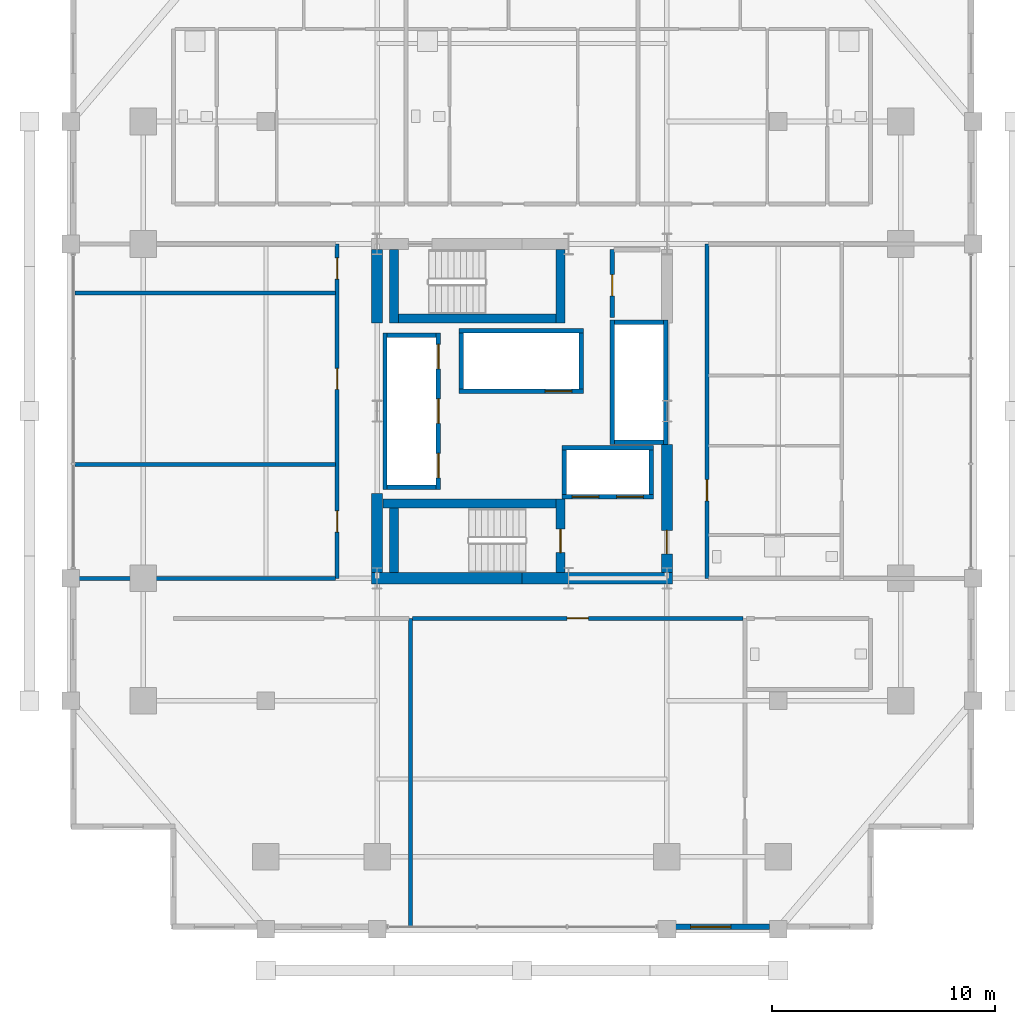
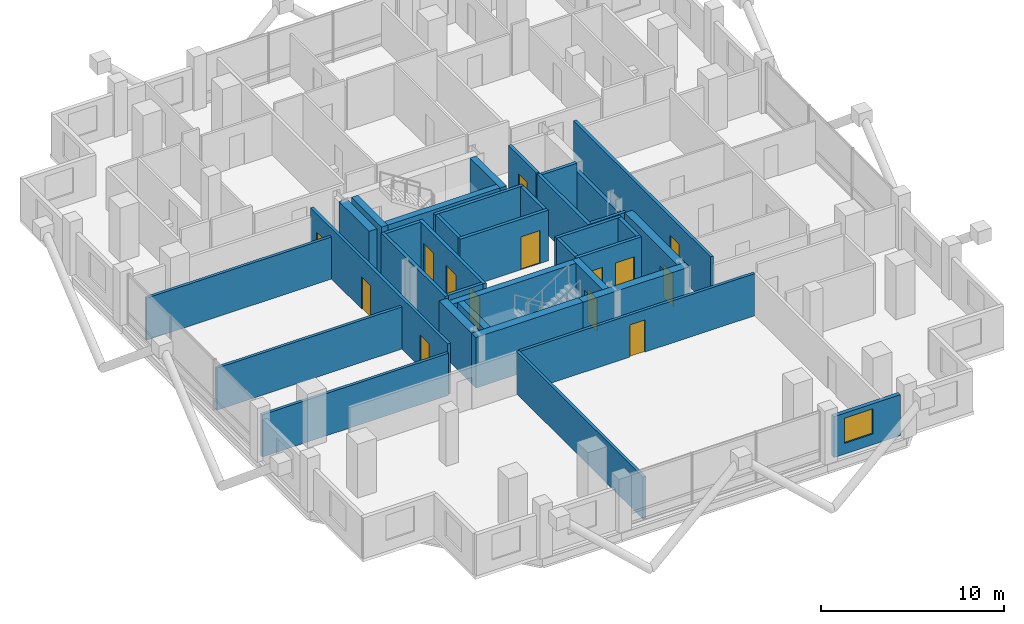
# One storey, part 17 of 22: 36 walls, 14 doors, 1 window, 15 openings.
"""IFC4 building model written with IfcOpenShell, lengths in metres."""

from ifc_helpers import new_model, si_unit, direction, frame, frame_2d, origin, place, context, subcontext, project, spatial, rectangle, extrude, material, layer, layer_set, type_object, element, fill, save


model = new_model("IFC4")

# Units and contexts
model_context = context("Model", 3, precision=1e-05, world=origin(), true_north=direction((0.0, 1.0)))
body_context = subcontext(model_context, "Body", "Model", "MODEL_VIEW")
ifc_project = project(units=[si_unit("LENGTHUNIT", "METRE"), si_unit("AREAUNIT", "SQUARE_METRE"), si_unit("VOLUMEUNIT", "CUBIC_METRE"), si_unit("PLANEANGLEUNIT", "RADIAN"), si_unit("MASSUNIT", "GRAM", prefix="KILO")], contexts=[model_context])

# Site, building, storey
site_placement = place(None, origin())
site = spatial("IfcSite", under=ifc_project, at=site_placement, CompositionType="ELEMENT")
building_placement = place(site_placement, origin())
building = spatial("IfcBuilding", under=site, at=building_placement, Name="Barlavira Tower and Art Museum", CompositionType="ELEMENT")
storey_placement = place(building_placement, frame((0.0, 0.0, 106.199951171875)))
storey = spatial("IfcBuildingStorey", under=building, at=storey_placement, Name="L26", CompositionType="ELEMENT", Elevation=106.199951171875)

# Walls
ifc_material_1 = material(Name="Concrete C60", Category="concrete")
ifc_layer_1 = layer(ifc_material_1, 0.5, Name="Concrete C60")
ifc_layer_set_1 = layer_set([ifc_layer_1], Name="Concrete C60")
wall_type_1 = type_object("IfcWallType", Name="Core Structural Shear Wall 500 Concrete C60", PredefinedType="SHEAR", material=ifc_layer_set_1)
for number, where, z_axis, x_axis, name in (
    (1, (-6.75, -7.5, 0.0), (0.0, 0.0, 1.0), (1.0, 0.0, 0.0), "L26 Core Shear Wall CS-SW"),
    (2, (0.0, -7.5, 0.0), (0.0, 0.0, 1.0), (1.0, 0.0, 0.0), "L26 Core Shear Wall CS-SE"),
):
    element("IfcWall", number, at=place(storey_placement, frame(where, z_axis=z_axis, x_axis=x_axis)), inside=storey, type_object=wall_type_1, Name=name, PredefinedType="SHEAR", context=body_context, shape_type="SweptSolid", body=[
        extrude(rectangle(XDim=6.75, YDim=0.5, at=frame_2d((3.375, 0.0))), origin(), (0.0, 0.0, 1.0), 3.380126953125),
    ])
wall_1_placement = place(storey_placement, frame((-6.5, -7.25, 0.0), z_axis=(0.0, 0.0, 1.0), x_axis=(0.0, 1.0, 0.0)))
element("IfcWall", 3, at=wall_1_placement, inside=storey, type_object=wall_type_1, Name="L26 Core Shear Wall CS-W1", PredefinedType="SHEAR", context=body_context, shape_type="SweptSolid", body=[
    extrude(rectangle(XDim=3.550048828125, YDim=0.5, at=frame_2d((1.77490234375, 0.0))), origin(), (0.0, 0.0, 1.0), 3.380126953125),
])
wall_2_placement = place(storey_placement, frame((-6.5, 3.949951171875, 0.0), z_axis=(0.0, 0.0, 1.0), x_axis=(0.0, 1.0, 0.0)))
element("IfcWall", 4, at=wall_2_placement, inside=storey, type_object=wall_type_1, Name="L26 Core Shear Wall CS-W2", PredefinedType="SHEAR", context=body_context, shape_type="SweptSolid", body=[
    extrude(rectangle(XDim=3.300048828125, YDim=0.5, at=frame_2d((1.64990234375, 0.0))), origin(), (0.0, 0.0, 1.0), 3.380126953125),
])

# Wall, opening, door
wall_3_placement = place(storey_placement, frame((6.5, -7.25, 0.0), z_axis=(0.0, 0.0, 1.0), x_axis=(0.0, 1.0, 0.0)))
wall_3 = element("IfcWall", 5, at=wall_3_placement, inside=storey, type_object=wall_type_1, Name="L26 Core Shear Wall CS-E1", PredefinedType="SHEAR", context=body_context, shape_type="SweptSolid", body=[
    extrude(rectangle(XDim=5.75, YDim=0.5, at=frame_2d((2.875, 0.0))), origin(), (0.0, 0.0, 1.0), 3.380126953125),
])
opening_1_placement = place(wall_3_placement, frame((0.85009765625, 0.0, 0.0)))
opening_1 = element("IfcOpeningElement", 6, at=opening_1_placement, cuts=wall_3, Name="Opening FD-90", PredefinedType="OPENING", context=body_context, shape_type="SweptSolid", body=[
    extrude(rectangle(XDim=1.050048828125, YDim=2.14990234375, at=frame_2d((0.52490234375, 1.074951171875))), frame((0.0, 0.260009765625, 0.0), z_axis=(0.0, -1.0, 0.0), x_axis=(1.0, 0.0, 0.0)), (0.0, 0.0, 1.0), 0.52001953125),
])
ifc_material_2 = material(Name="Brushed stainless steel", Category="steel")
door_type_1 = type_object("IfcDoorType", Name="Stair and Refuge Fire Door 1050x2150 FD90S", OperationType="NOTDEFINED", PredefinedType="DOOR", material=ifc_material_2)
door_1_placement = place(opening_1_placement, origin())
door_1 = element("IfcDoor", 7, at=door_1_placement, inside=storey, type_object=door_type_1, Name="L26 Firefighting Lobby Entry Fire Door", OperationType="SINGLE_SWING_LEFT", OverallHeight=2.14990234375, OverallWidth=1.050048828125, PredefinedType="DOOR", context=body_context, shape_type="SweptSolid", body=[
    extrude(rectangle(XDim=1.050048828125, YDim=2.14990234375, at=frame_2d((0.52490234375, 1.074951171875))), frame((0.0, 0.02490234375, 0.0), z_axis=(0.0, -1.0, 0.0), x_axis=(1.0, 0.0, 0.0)), (0.0, 0.0, 1.0), 0.050048828125),
])
fill(opening_1, door_1)

# Wall, openings, doors
ifc_material_3 = material(Name="Autoclaved aerated concrete masonry", Category="masonry")
ifc_layer_2 = layer(ifc_material_3, 0.199951171875, Name="Autoclaved aerated concrete masonry")
ifc_layer_set_2 = layer_set([ifc_layer_2], Name="Autoclaved aerated concrete masonry")
wall_type_2 = type_object("IfcWallType", Name="Fire Compartment and Shaft Wall 200", PredefinedType="SOLIDWALL", material=ifc_layer_set_2)
wall_4_placement = place(storey_placement, frame((-3.75, -3.510009765625, 0.0), z_axis=(0.0, 0.0, 1.0), x_axis=(0.0, 1.0, 0.0)))
wall_4 = element("IfcWall", 8, at=wall_4_placement, inside=storey, type_object=wall_type_2, Name="L26 Low-Rise Lift Front Shaft Wall", PredefinedType="SOLIDWALL", context=body_context, shape_type="SweptSolid", body=[
    extrude(rectangle(XDim=7.02001953125, YDim=0.199951171875, at=frame_2d((3.510009765625, 0.0))), origin(), (0.0, 0.0, 1.0), 3.380126953125),
])
opening_2_placement = place(wall_4_placement, frame((0.510009765625, 0.0, 0.0)))
opening_2 = element("IfcOpeningElement", 9, at=opening_2_placement, cuts=wall_4, Name="Opening LD-P", PredefinedType="OPENING", context=body_context, shape_type="SweptSolid", body=[
    extrude(rectangle(XDim=1.10009765625, YDim=2.14990234375, at=frame_2d((0.550048828125, 1.074951171875))), frame((0.0, 0.10986328125, 0.0), z_axis=(0.0, -1.0, 0.0), x_axis=(1.0, 0.0, 0.0)), (0.0, 0.0, 1.0), 0.219970703125),
])
opening_3_placement = place(wall_4_placement, frame((2.9599609375, 0.0, 0.0)))
opening_3 = element("IfcOpeningElement", 10, at=opening_3_placement, cuts=wall_4, Name="Opening LD-P", PredefinedType="OPENING", context=body_context, shape_type="SweptSolid", body=[
    extrude(rectangle(XDim=1.10009765625, YDim=2.14990234375, at=frame_2d((0.550048828125, 1.074951171875))), frame((0.0, 0.10986328125, 0.0), z_axis=(0.0, -1.0, 0.0), x_axis=(1.0, 0.0, 0.0)), (0.0, 0.0, 1.0), 0.219970703125),
])
opening_4_placement = place(wall_4_placement, frame((5.409912109375, 0.0, 0.0)))
opening_4 = element("IfcOpeningElement", 11, at=opening_4_placement, cuts=wall_4, Name="Opening LD-P", PredefinedType="OPENING", context=body_context, shape_type="SweptSolid", body=[
    extrude(rectangle(XDim=1.10009765625, YDim=2.14990234375, at=frame_2d((0.550048828125, 1.074951171875))), frame((0.0, 0.10986328125, 0.0), z_axis=(0.0, -1.0, 0.0), x_axis=(1.0, 0.0, 0.0)), (0.0, 0.0, 1.0), 0.219970703125),
])
door_type_2 = type_object("IfcDoorType", Name="Passenger Lift Sliding Landing Door 1100x2150 FD60", OperationType="NOTDEFINED", PredefinedType="DOOR", material=ifc_material_2)
door_2_placement = place(opening_2_placement, origin())
door_2 = element("IfcDoor", 12, at=door_2_placement, inside=storey, type_object=door_type_2, Name="L26 Lift PL1 Sliding Landing Door", OperationType="DOUBLE_DOOR_SLIDING", OverallHeight=2.14990234375, OverallWidth=1.10009765625, PredefinedType="DOOR", context=body_context, shape_type="SweptSolid", body=[
    extrude(rectangle(XDim=1.10009765625, YDim=2.14990234375, at=frame_2d((0.550048828125, 1.074951171875))), frame((0.0, 0.02490234375, 0.0), z_axis=(0.0, -1.0, 0.0), x_axis=(1.0, 0.0, 0.0)), (0.0, 0.0, 1.0), 0.050048828125),
])
fill(opening_2, door_2)
door_3_placement = place(opening_3_placement, origin())
door_3 = element("IfcDoor", 13, at=door_3_placement, inside=storey, type_object=door_type_2, Name="L26 Lift PL2 Sliding Landing Door", OperationType="DOUBLE_DOOR_SLIDING", OverallHeight=2.14990234375, OverallWidth=1.10009765625, PredefinedType="DOOR", context=body_context, shape_type="SweptSolid", body=[
    extrude(rectangle(XDim=1.10009765625, YDim=2.14990234375, at=frame_2d((0.550048828125, 1.074951171875))), frame((0.0, 0.02490234375, 0.0), z_axis=(0.0, -1.0, 0.0), x_axis=(1.0, 0.0, 0.0)), (0.0, 0.0, 1.0), 0.050048828125),
])
fill(opening_3, door_3)
door_4_placement = place(opening_4_placement, origin())
door_4 = element("IfcDoor", 14, at=door_4_placement, inside=storey, type_object=door_type_2, Name="L26 Lift PL3 Sliding Landing Door", OperationType="DOUBLE_DOOR_SLIDING", OverallHeight=2.14990234375, OverallWidth=1.10009765625, PredefinedType="DOOR", context=body_context, shape_type="SweptSolid", body=[
    extrude(rectangle(XDim=1.10009765625, YDim=2.14990234375, at=frame_2d((0.550048828125, 1.074951171875))), frame((0.0, 0.02490234375, 0.0), z_axis=(0.0, -1.0, 0.0), x_axis=(1.0, 0.0, 0.0)), (0.0, 0.0, 1.0), 0.050048828125),
])
fill(opening_4, door_4)

# Walls
wall_5_placement = place(storey_placement, frame((-6.14990234375, -3.510009765625, 0.0), z_axis=(0.0, 0.0, 1.0), x_axis=(0.0, 1.0, 0.0)))
element("IfcWall", 15, at=wall_5_placement, inside=storey, type_object=wall_type_2, Name="L26 Low-Rise Lift Back Shaft Wall", PredefinedType="SOLIDWALL", context=body_context, shape_type="SweptSolid", body=[
    extrude(rectangle(XDim=7.02001953125, YDim=0.199951171875, at=frame_2d((3.510009765625, 0.0))), origin(), (0.0, 0.0, 1.0), 3.380126953125),
])
for number, where, z_axis, x_axis, name in (
    (16, (-6.050048828125, -3.409912109375, 0.0), (0.0, 0.0, 1.0), (1.0, 0.0, 0.0), "L26 Low-Rise Lift South Shaft Wall"),
    (17, (-6.050048828125, 3.409912109375, 0.0), (0.0, 0.0, 1.0), (1.0, 0.0, 0.0), "L26 Low-Rise Lift North Shaft Wall"),
):
    element("IfcWall", number, at=place(storey_placement, frame(where, z_axis=z_axis, x_axis=x_axis)), inside=storey, type_object=wall_type_2, Name=name, PredefinedType="SOLIDWALL", context=body_context, shape_type="SweptSolid", body=[
        extrude(rectangle(XDim=2.199951171875, YDim=0.199951171875, at=frame_2d((1.10009765625, 0.0))), origin(), (0.0, 0.0, 1.0), 3.380126953125),
    ])
wall_6_placement = place(storey_placement, frame((4.050048828125, -1.489990234375, 0.0), z_axis=(0.0, 0.0, 1.0), x_axis=(0.0, 1.0, 0.0)))
element("IfcWall", 18, at=wall_6_placement, inside=storey, type_object=wall_type_2, Name="L26 Mid-Rise Lift Front Shaft Wall", PredefinedType="SOLIDWALL", context=body_context, shape_type="SweptSolid", body=[
    extrude(rectangle(XDim=5.580078125, YDim=0.199951171875, at=frame_2d((2.7900390625, 0.0))), origin(), (0.0, 0.0, 1.0), 3.380126953125),
])
wall_7_placement = place(storey_placement, frame((6.449951171875, -1.489990234375, 0.0), z_axis=(0.0, 0.0, 1.0), x_axis=(0.0, 1.0, 0.0)))
element("IfcWall", 19, at=wall_7_placement, inside=storey, type_object=wall_type_2, Name="L26 Mid-Rise Lift Back Shaft Wall", PredefinedType="SOLIDWALL", context=body_context, shape_type="SweptSolid", body=[
    extrude(rectangle(XDim=5.580078125, YDim=0.199951171875, at=frame_2d((2.7900390625, 0.0))), origin(), (0.0, 0.0, 1.0), 2.816162109375),
])
for number, where, z_axis, x_axis, name in (
    (20, (4.14990234375, -1.389892578125, 0.0), (0.0, 0.0, 1.0), (1.0, 0.0, 0.0), "L26 Mid-Rise Lift South Shaft Wall"),
    (21, (4.14990234375, 3.989990234375, 0.0), (0.0, 0.0, 1.0), (1.0, 0.0, 0.0), "L26 Mid-Rise Lift North Shaft Wall"),
):
    element("IfcWall", number, at=place(storey_placement, frame(where, z_axis=z_axis, x_axis=x_axis)), inside=storey, type_object=wall_type_2, Name=name, PredefinedType="SOLIDWALL", context=body_context, shape_type="SweptSolid", body=[
        extrude(rectangle(XDim=2.2001953125, YDim=0.199951171875, at=frame_2d((1.10009765625, 0.0))), origin(), (0.0, 0.0, 1.0), 3.380126953125),
    ])

# Wall, opening, door
wall_8_placement = place(storey_placement, frame((-2.820068359375, 0.89990234375, 0.0), z_axis=(0.0, 0.0, 1.0), x_axis=(1.0, 0.0, 0.0)))
wall_8 = element("IfcWall", 22, at=wall_8_placement, inside=storey, type_object=wall_type_2, Name="L26 High-Rise & Service Lift Front Wall", PredefinedType="SOLIDWALL", context=body_context, shape_type="SweptSolid", body=[
    extrude(rectangle(XDim=5.580078125, YDim=0.199951171875, at=frame_2d((2.7900390625, 0.0))), origin(), (0.0, 0.0, 1.0), 3.380126953125),
])
opening_5_placement = place(wall_8_placement, frame((3.860107421875, 0.0, 0.0)))
opening_5 = element("IfcOpeningElement", 23, at=opening_5_placement, cuts=wall_8, Name="Opening LD-F", PredefinedType="OPENING", context=body_context, shape_type="SweptSolid", body=[
    extrude(rectangle(XDim=1.199951171875, YDim=2.199951171875, at=frame_2d((0.60009765625, 1.10009765625))), frame((0.0, 0.10986328125, 0.0), z_axis=(0.0, -1.0, 0.0), x_axis=(1.0, 0.0, 0.0)), (0.0, 0.0, 1.0), 0.219970703125),
])
door_type_3 = type_object("IfcDoorType", Name="Firefighting and Service Lift Sliding Door 1200x2200 FD120", OperationType="NOTDEFINED", PredefinedType="DOOR", material=ifc_material_2)
door_5_placement = place(opening_5_placement, origin())
door_5 = element("IfcDoor", 24, at=door_5_placement, inside=storey, type_object=door_type_3, Name="L26 Stretcher Service Lift SL1 Sliding Door", OperationType="DOUBLE_DOOR_SLIDING", OverallHeight=2.199951171875, OverallWidth=1.199951171875, PredefinedType="DOOR", context=body_context, shape_type="SweptSolid", body=[
    extrude(rectangle(XDim=1.199951171875, YDim=2.199951171875, at=frame_2d((0.60009765625, 1.10009765625))), frame((0.0, 0.02490234375, 0.0), z_axis=(0.0, -1.0, 0.0), x_axis=(1.0, 0.0, 0.0)), (0.0, 0.0, 1.0), 0.050048828125),
])
fill(opening_5, door_5)

# Walls
wall_9_placement = place(storey_placement, frame((-2.820068359375, 3.60009765625, 0.0), z_axis=(0.0, 0.0, 1.0), x_axis=(1.0, 0.0, 0.0)))
element("IfcWall", 25, at=wall_9_placement, inside=storey, type_object=wall_type_2, Name="L26 High-Rise & Service Lift Back Wall", PredefinedType="SOLIDWALL", context=body_context, shape_type="SweptSolid", body=[
    extrude(rectangle(XDim=5.580078125, YDim=0.199951171875, at=frame_2d((2.7900390625, 0.0))), origin(), (0.0, 0.0, 1.0), 3.380126953125),
])
for number, where, z_axis, x_axis, name in (
    (26, (-2.719970703125, 1.0, 0.0), (0.0, 0.0, 1.0), (0.0, 1.0, 0.0), "L26 High-Rise & Service Lift West Wall"),
    (27, (2.659912109375, 1.0, 0.0), (0.0, 0.0, 1.0), (0.0, 1.0, 0.0), "L26 High-Rise & Service Lift East Wall"),
):
    element("IfcWall", number, at=place(storey_placement, frame(where, z_axis=z_axis, x_axis=x_axis)), inside=storey, type_object=wall_type_2, Name=name, PredefinedType="SOLIDWALL", context=body_context, shape_type="SweptSolid", body=[
        extrude(rectangle(XDim=2.5, YDim=0.199951171875, at=frame_2d((1.25, 0.0))), origin(), (0.0, 0.0, 1.0), 3.380126953125),
    ])

# Wall, openings, doors
wall_10_placement = place(storey_placement, frame((1.800048828125, -3.85009765625, 0.0), z_axis=(0.0, 0.0, 1.0), x_axis=(1.0, 0.0, 0.0)))
wall_10 = element("IfcWall", 28, at=wall_10_placement, inside=storey, type_object=wall_type_2, Name="L26 Firefighting Lift Front Shaft Wall", PredefinedType="SOLIDWALL", context=body_context, shape_type="SweptSolid", body=[
    extrude(rectangle(XDim=4.099853515625, YDim=0.199951171875, at=frame_2d((2.0498046875, 0.0))), origin(), (0.0, 0.0, 1.0), 3.380126953125),
])
opening_6_placement = place(wall_10_placement, frame((0.449951171875, 0.0, 0.0)))
opening_6 = element("IfcOpeningElement", 29, at=opening_6_placement, cuts=wall_10, Name="Opening LD-F", PredefinedType="OPENING", context=body_context, shape_type="SweptSolid", body=[
    extrude(rectangle(XDim=1.199951171875, YDim=2.199951171875, at=frame_2d((0.60009765625, 1.10009765625))), frame((0.0, 0.10986328125, 0.0), z_axis=(0.0, -1.0, 0.0), x_axis=(1.0, 0.0, 0.0)), (0.0, 0.0, 1.0), 0.219970703125),
])
opening_7_placement = place(wall_10_placement, frame((2.449951171875, 0.0, 0.0)))
opening_7 = element("IfcOpeningElement", 30, at=opening_7_placement, cuts=wall_10, Name="Opening LD-F", PredefinedType="OPENING", context=body_context, shape_type="SweptSolid", body=[
    extrude(rectangle(XDim=1.199951171875, YDim=2.199951171875, at=frame_2d((0.60009765625, 1.10009765625))), frame((0.0, 0.10986328125, 0.0), z_axis=(0.0, -1.0, 0.0), x_axis=(1.0, 0.0, 0.0)), (0.0, 0.0, 1.0), 0.219970703125),
])
door_6_placement = place(opening_6_placement, origin())
door_6 = element("IfcDoor", 31, at=door_6_placement, inside=storey, type_object=door_type_3, Name="L26 Firefighting Lift FF1 Sliding Door", OperationType="DOUBLE_DOOR_SLIDING", OverallHeight=2.199951171875, OverallWidth=1.199951171875, PredefinedType="DOOR", context=body_context, shape_type="SweptSolid", body=[
    extrude(rectangle(XDim=1.199951171875, YDim=2.199951171875, at=frame_2d((0.60009765625, 1.10009765625))), frame((0.0, 0.02490234375, 0.0), z_axis=(0.0, -1.0, 0.0), x_axis=(1.0, 0.0, 0.0)), (0.0, 0.0, 1.0), 0.050048828125),
])
fill(opening_6, door_6)
door_7_placement = place(opening_7_placement, origin())
door_7 = element("IfcDoor", 32, at=door_7_placement, inside=storey, type_object=door_type_3, Name="L26 Firefighting Lift FF2 Sliding Door", OperationType="DOUBLE_DOOR_SLIDING", OverallHeight=2.199951171875, OverallWidth=1.199951171875, PredefinedType="DOOR", context=body_context, shape_type="SweptSolid", body=[
    extrude(rectangle(XDim=1.199951171875, YDim=2.199951171875, at=frame_2d((0.60009765625, 1.10009765625))), frame((0.0, 0.02490234375, 0.0), z_axis=(0.0, -1.0, 0.0), x_axis=(1.0, 0.0, 0.0)), (0.0, 0.0, 1.0), 0.050048828125),
])
fill(opening_7, door_7)

# Walls
wall_11_placement = place(storey_placement, frame((1.800048828125, -1.64990234375, 0.0), z_axis=(0.0, 0.0, 1.0), x_axis=(1.0, 0.0, 0.0)))
element("IfcWall", 33, at=wall_11_placement, inside=storey, type_object=wall_type_2, Name="L26 Firefighting Lift Back Shaft Wall", PredefinedType="SOLIDWALL", context=body_context, shape_type="SweptSolid", body=[
    extrude(rectangle(XDim=4.099853515625, YDim=0.199951171875, at=frame_2d((2.0498046875, 0.0))), origin(), (0.0, 0.0, 1.0), 3.380126953125),
])
for number, where, z_axis, x_axis, name in (
    (34, (1.89990234375, -3.75, 0.0), (0.0, 0.0, 1.0), (0.0, 1.0, 0.0), "L26 Firefighting Lift West Shaft Wall"),
    (35, (5.800048828125, -3.75, 0.0), (0.0, 0.0, 1.0), (0.0, 1.0, 0.0), "L26 Firefighting Lift East Shaft Wall"),
):
    element("IfcWall", number, at=place(storey_placement, frame(where, z_axis=z_axis, x_axis=x_axis)), inside=storey, type_object=wall_type_2, Name=name, PredefinedType="SOLIDWALL", context=body_context, shape_type="SweptSolid", body=[
        extrude(rectangle(XDim=2.0, YDim=0.199951171875, at=frame_2d((1.0, 0.0))), origin(), (0.0, 0.0, 1.0), 3.380126953125),
    ])

# Wall, opening, door
wall_12_placement = place(storey_placement, frame((4.050048828125, 4.199951171875, 0.0), z_axis=(0.0, 0.0, 1.0), x_axis=(0.0, 1.0, 0.0)))
wall_12 = element("IfcWall", 36, at=wall_12_placement, inside=storey, type_object=wall_type_2, Name="L26 Partition Wall 11", PredefinedType="SOLIDWALL", context=body_context, shape_type="SweptSolid", body=[
    extrude(rectangle(XDim=3.050048828125, YDim=0.199951171875, at=frame_2d((1.52490234375, 0.0))), origin(), (0.0, 0.0, 1.0), 3.380126953125),
])
opening_8_placement = place(wall_12_placement, frame((0.97509765625, 0.0, 0.0)))
opening_8 = element("IfcOpeningElement", 37, at=opening_8_placement, cuts=wall_12, Name="Opening FD-60", PredefinedType="OPENING", context=body_context, shape_type="SweptSolid", body=[
    extrude(rectangle(XDim=0.949951171875, YDim=2.14990234375, at=frame_2d((0.47509765625, 1.074951171875))), frame((0.0, 0.10986328125, 0.0), z_axis=(0.0, -1.0, 0.0), x_axis=(1.0, 0.0, 0.0)), (0.0, 0.0, 1.0), 0.219970703125),
])
door_type_4 = type_object("IfcDoorType", Name="Apartment Entrance and Riser Fire Door 950x2150 FD60S", OperationType="NOTDEFINED", PredefinedType="DOOR", material=ifc_material_2)
door_8_placement = place(opening_8_placement, origin())
door_8 = element("IfcDoor", 38, at=door_8_placement, inside=storey, type_object=door_type_4, Name="Combined Electrical and Telecom Plant Room Door", OperationType="SINGLE_SWING_LEFT", OverallHeight=2.14990234375, OverallWidth=0.949951171875, PredefinedType="DOOR", context=body_context, shape_type="SweptSolid", body=[
    extrude(rectangle(XDim=0.949951171875, YDim=2.14990234375, at=frame_2d((0.47509765625, 1.074951171875))), frame((0.0, 0.02490234375, 0.0), z_axis=(0.0, -1.0, 0.0), x_axis=(1.0, 0.0, 0.0)), (0.0, 0.0, 1.0), 0.050048828125),
])
fill(opening_8, door_8)

# Wall, openings, doors
ifc_material_4 = material(Name="Gypsum acoustic stud partition", Category="gypsum")
ifc_layer_3 = layer(ifc_material_4, 0.179931640625, Name="Gypsum acoustic stud partition")
ifc_layer_set_3 = layer_set([ifc_layer_3], Name="Gypsum acoustic stud partition")
wall_type_3 = type_object("IfcWallType", Name="Inter-Tenancy Party Partition Wall 180", PredefinedType="PARTITIONING", material=ifc_layer_set_3)
wall_13_placement = place(storey_placement, frame((-8.300048828125, -7.5, 0.0), z_axis=(0.0, 0.0, 1.0), x_axis=(0.0, 1.0, 0.0)))
wall_13 = element("IfcWall", 39, at=wall_13_placement, inside=storey, type_object=wall_type_3, Name="L26 Partition Wall 5", PredefinedType="PARTITIONING", context=body_context, shape_type="SweptSolid", body=[
    extrude(rectangle(XDim=15.0, YDim=0.179931640625, at=frame_2d((7.5, 0.0))), origin(), (0.0, 0.0, 1.0), 3.380126953125),
])
opening_9_placement = place(wall_13_placement, frame((2.074951171875, 0.0, 0.0)))
opening_9 = element("IfcOpeningElement", 40, at=opening_9_placement, cuts=wall_13, Name="Opening FD-60", PredefinedType="OPENING", context=body_context, shape_type="SweptSolid", body=[
    extrude(rectangle(XDim=0.949951171875, YDim=2.14990234375, at=frame_2d((0.47509765625, 1.074951171875))), frame((0.0, 0.10009765625, 0.0), z_axis=(0.0, -1.0, 0.0), x_axis=(1.0, 0.0, 0.0)), (0.0, 0.0, 1.0), 0.199951171875),
])
opening_10_placement = place(wall_13_placement, frame((8.47509765625, 0.0, 0.0)))
opening_10 = element("IfcOpeningElement", 41, at=opening_10_placement, cuts=wall_13, Name="Opening FD-60", PredefinedType="OPENING", context=body_context, shape_type="SweptSolid", body=[
    extrude(rectangle(XDim=0.949951171875, YDim=2.14990234375, at=frame_2d((0.47509765625, 1.074951171875))), frame((0.0, 0.10009765625, 0.0), z_axis=(0.0, -1.0, 0.0), x_axis=(1.0, 0.0, 0.0)), (0.0, 0.0, 1.0), 0.199951171875),
])
opening_11_placement = place(wall_13_placement, frame((13.425048828125, 0.0, 0.0)))
opening_11 = element("IfcOpeningElement", 42, at=opening_11_placement, cuts=wall_13, Name="Opening FD-60", PredefinedType="OPENING", context=body_context, shape_type="SweptSolid", body=[
    extrude(rectangle(XDim=0.949951171875, YDim=2.14990234375, at=frame_2d((0.47509765625, 1.074951171875))), frame((0.0, 0.10009765625, 0.0), z_axis=(0.0, -1.0, 0.0), x_axis=(1.0, 0.0, 0.0)), (0.0, 0.0, 1.0), 0.199951171875),
])
door_9_placement = place(opening_9_placement, origin())
door_9 = element("IfcDoor", 43, at=door_9_placement, inside=storey, type_object=door_type_4, Name="Resident Sky Coworking Studio Door", OperationType="SINGLE_SWING_LEFT", OverallHeight=2.14990234375, OverallWidth=0.949951171875, PredefinedType="DOOR", context=body_context, shape_type="SweptSolid", body=[
    extrude(rectangle(XDim=0.949951171875, YDim=2.14990234375, at=frame_2d((0.47509765625, 1.074951171875))), frame((0.0, 0.02490234375, 0.0), z_axis=(0.0, -1.0, 0.0), x_axis=(1.0, 0.0, 0.0)), (0.0, 0.0, 1.0), 0.050048828125),
])
fill(opening_9, door_9)
door_10_placement = place(opening_10_placement, origin())
door_10 = element("IfcDoor", 44, at=door_10_placement, inside=storey, type_object=door_type_4, Name="Atlantic Horizon Boardroom Door", OperationType="SINGLE_SWING_RIGHT", OverallHeight=2.14990234375, OverallWidth=0.949951171875, PredefinedType="DOOR", context=body_context, shape_type="SweptSolid", body=[
    extrude(rectangle(XDim=0.949951171875, YDim=2.14990234375, at=frame_2d((0.47509765625, 1.074951171875))), frame((0.0, 0.02490234375, 0.0), z_axis=(0.0, -1.0, 0.0), x_axis=(1.0, 0.0, 0.0)), (0.0, 0.0, 1.0), 0.050048828125),
])
fill(opening_10, door_10)
door_11_placement = place(opening_11_placement, origin())
door_11 = element("IfcDoor", 45, at=door_11_placement, inside=storey, type_object=door_type_4, Name="Shared Coworking Espresso Pantry Door", OperationType="SINGLE_SWING_LEFT", OverallHeight=2.14990234375, OverallWidth=0.949951171875, PredefinedType="DOOR", context=body_context, shape_type="SweptSolid", body=[
    extrude(rectangle(XDim=0.949951171875, YDim=2.14990234375, at=frame_2d((0.47509765625, 1.074951171875))), frame((0.0, 0.02490234375, 0.0), z_axis=(0.0, -1.0, 0.0), x_axis=(1.0, 0.0, 0.0)), (0.0, 0.0, 1.0), 0.050048828125),
])
fill(opening_11, door_11)

# Wall
wall_14_placement = place(storey_placement, frame((-5.0, -23.14990234375, 0.0), z_axis=(0.0, 0.0, 1.0), x_axis=(0.0, 1.0, 0.0)))
element("IfcWall", 46, at=wall_14_placement, inside=storey, type_object=wall_type_3, Name="L26 Partition Wall 7", PredefinedType="PARTITIONING", context=body_context, shape_type="SweptSolid", body=[
    extrude(rectangle(XDim=13.849853515625, YDim=0.179931640625, at=frame_2d((6.9248046875, 0.0))), origin(), (0.0, 0.0, 1.0), 2.816162109375),
])

# Wall, opening, door
wall_15_placement = place(storey_placement, frame((8.300048828125, -7.5, 0.0), z_axis=(0.0, 0.0, 1.0), x_axis=(0.0, 1.0, 0.0)))
wall_15 = element("IfcWall", 47, at=wall_15_placement, inside=storey, type_object=wall_type_3, Name="L26 Partition Wall 13", PredefinedType="PARTITIONING", context=body_context, shape_type="SweptSolid", body=[
    extrude(rectangle(XDim=15.0, YDim=0.179931640625, at=frame_2d((7.5, 0.0))), origin(), (0.0, 0.0, 1.0), 3.380126953125),
])
opening_12_placement = place(wall_15_placement, frame((3.47509765625, 0.0, 0.0)))
opening_12 = element("IfcOpeningElement", 48, at=opening_12_placement, cuts=wall_15, Name="Opening FD-60", PredefinedType="OPENING", context=body_context, shape_type="SweptSolid", body=[
    extrude(rectangle(XDim=0.949951171875, YDim=2.14990234375, at=frame_2d((0.47509765625, 1.074951171875))), frame((0.0, 0.10009765625, 0.0), z_axis=(0.0, -1.0, 0.0), x_axis=(1.0, 0.0, 0.0)), (0.0, 0.0, 1.0), 0.199951171875),
])
door_12_placement = place(opening_12_placement, origin())
door_12 = element("IfcDoor", 49, at=door_12_placement, inside=storey, type_object=door_type_4, Name="Apartment Entrance Hall E1 Door", OperationType="SINGLE_SWING_LEFT", OverallHeight=2.14990234375, OverallWidth=0.949951171875, PredefinedType="DOOR", context=body_context, shape_type="SweptSolid", body=[
    extrude(rectangle(XDim=0.949951171875, YDim=2.14990234375, at=frame_2d((0.47509765625, 1.074951171875))), frame((0.0, 0.02490234375, 0.0), z_axis=(0.0, -1.0, 0.0), x_axis=(1.0, 0.0, 0.0)), (0.0, 0.0, 1.0), 0.050048828125),
])
fill(opening_12, door_12)

wall_16_placement = place(storey_placement, frame((-4.919921875, -9.300048828125, 0.0), z_axis=(0.0, 0.0, 1.0), x_axis=(1.0, 0.0, 0.0)))
wall_16 = element("IfcWall", 50, at=wall_16_placement, inside=storey, type_object=wall_type_3, Name="L26 Partition Wall 23", PredefinedType="PARTITIONING", context=body_context, shape_type="SweptSolid", body=[
    extrude(rectangle(XDim=14.83984375, YDim=0.179931640625, at=frame_2d((7.419921875, 0.0))), origin(), (0.0, 0.0, 1.0), 2.816162109375),
])
opening_13_placement = place(wall_16_placement, frame((6.945068359375, 0.0, 0.0)))
opening_13 = element("IfcOpeningElement", 51, at=opening_13_placement, cuts=wall_16, Name="Opening FD-60", PredefinedType="OPENING", context=body_context, shape_type="SweptSolid", body=[
    extrude(rectangle(XDim=0.949951171875, YDim=2.14990234375, at=frame_2d((0.47509765625, 1.074951171875))), frame((0.0, 0.10009765625, 0.0), z_axis=(0.0, -1.0, 0.0), x_axis=(1.0, 0.0, 0.0)), (0.0, 0.0, 1.0), 0.199951171875),
])
door_13_placement = place(opening_13_placement, origin())
door_13 = element("IfcDoor", 52, at=door_13_placement, inside=storey, type_object=door_type_4, Name="Coastal Hydrotherapy and Yoga Lounge Door", OperationType="SINGLE_SWING_LEFT", OverallHeight=2.14990234375, OverallWidth=0.949951171875, PredefinedType="DOOR", context=body_context, shape_type="SweptSolid", body=[
    extrude(rectangle(XDim=0.949951171875, YDim=2.14990234375, at=frame_2d((0.47509765625, 1.074951171875))), frame((0.0, 0.02490234375, 0.0), z_axis=(0.0, -1.0, 0.0), x_axis=(1.0, 0.0, 0.0)), (0.0, 0.0, 1.0), 0.050048828125),
])
fill(opening_13, door_13)

# Walls
wall_17_placement = place(storey_placement, frame((-20.14990234375, -7.5, 0.0), z_axis=(0.0, 0.0, 1.0), x_axis=(1.0, 0.0, 0.0)))
element("IfcWall", 53, at=wall_17_placement, inside=storey, type_object=wall_type_3, Name="L26 Partition Wall 25", PredefinedType="PARTITIONING", context=body_context, shape_type="SweptSolid", body=[
    extrude(rectangle(XDim=11.77001953125, YDim=0.179931640625, at=frame_2d((5.885009765625, 0.0))), origin(), (0.0, 0.0, 1.0), 2.816162109375),
])
for number, where, z_axis, x_axis, name in (
    (54, (-20.070068359375, -2.39990234375, 0.0), (0.0, 0.0, 1.0), (1.0, 0.0, 0.0), "L26 Partition Wall 29"),
    (55, (-20.070068359375, 5.300048828125, 0.0), (0.0, 0.0, 1.0), (1.0, 0.0, 0.0), "L26 Partition Wall 33"),
):
    element("IfcWall", number, at=place(storey_placement, frame(where, z_axis=z_axis, x_axis=x_axis)), inside=storey, type_object=wall_type_3, Name=name, PredefinedType="PARTITIONING", context=body_context, shape_type="SweptSolid", body=[
        extrude(rectangle(XDim=11.690185546875, YDim=0.179931640625, at=frame_2d((5.84521484375, 0.0))), origin(), (0.0, 0.0, 1.0), 2.816162109375),
    ])

# Wall, opening, window
ifc_material_5 = material(Name="Precast concrete C40", Category="concrete")
ifc_layer_4 = layer(ifc_material_5, 0.25, Name="Precast concrete C40")
ifc_layer_set_4 = layer_set([ifc_layer_4], Name="Precast concrete C40")
wall_type_4 = type_object("IfcWallType", Name="Notched Corner Spandrel Wall 250 Precast Concrete C40", PredefinedType="SOLIDWALL", material=ifc_layer_set_4)
wall_18_placement = place(storey_placement, frame((6.89501953125, -23.14990234375, 0.0), z_axis=(0.0, 0.0, 1.0), x_axis=(1.0, 0.0, 0.0)))
wall_18 = element("IfcWall", 56, at=wall_18_placement, inside=storey, type_object=wall_type_4, Name="L26 Coastal Facade Pier Wall CW2-L26-S-4", PredefinedType="SOLIDWALL", context=body_context, shape_type="SweptSolid", body=[
    extrude(rectangle(XDim=4.2099609375, YDim=0.25, at=frame_2d((2.10498046875, 0.0))), origin(), (0.0, 0.0, 1.0), 2.736083984375),
])
opening_14_placement = place(wall_18_placement, frame((0.675048828125, 0.0, 0.719970703125)))
opening_14 = element("IfcOpeningElement", 57, at=opening_14_placement, cuts=wall_18, Name="Opening WN-01", PredefinedType="OPENING", context=body_context, shape_type="SweptSolid", body=[
    extrude(rectangle(XDim=1.800048828125, YDim=1.679931640625, at=frame_2d((0.89990234375, 0.83984375))), frame((0.0, 0.135009765625, 0.0), z_axis=(0.0, -1.0, 0.0), x_axis=(1.0, 0.0, 0.0)), (0.0, 0.0, 1.0), 0.27001953125),
])
ifc_material_6 = material(Name="Low-iron coastal laminated glass", Category="glass")
window_type = type_object("IfcWindowType", Name="Recessed Notch Corner Punch Window 1800x1680", PartitioningType="SINGLE_PANEL", PredefinedType="WINDOW", material=ifc_material_6)
window_placement = place(opening_14_placement, origin())
window = element("IfcWindow", 58, at=window_placement, inside=storey, type_object=window_type, Name="L26 Punched Facade Window EWP-CW2-L26-S-4-1", OverallHeight=1.679931640625, OverallWidth=1.800048828125, PartitioningType="SINGLE_PANEL", PredefinedType="WINDOW", context=body_context, shape_type="SweptSolid", body=[
    extrude(rectangle(XDim=1.800048828125, YDim=1.679931640625, at=frame_2d((0.89990234375, 0.83984375))), frame((0.0, 0.030029296875, 0.0), z_axis=(0.0, -1.0, 0.0), x_axis=(1.0, 0.0, 0.0)), (0.0, 0.0, 1.0), 0.06005859375),
])
fill(opening_14, window)

# Walls
ifc_material_7 = material(Name="Concrete C55", Category="concrete")
ifc_layer_5 = layer(ifc_material_7, 0.39990234375, Name="Concrete C55")
ifc_layer_set_5 = layer_set([ifc_layer_5], Name="Concrete C55")
wall_type_5 = type_object("IfcWallType", Name="Upper Core Shear Wall 400 Concrete C55", PredefinedType="SHEAR", material=ifc_layer_set_5)
wall_19_placement = place(storey_placement, frame((-5.75, -7.25, 0.0), z_axis=(0.0, 0.0, 1.0), x_axis=(0.0, 1.0, 0.0)))
element("IfcWall", 59, at=wall_19_placement, inside=storey, type_object=wall_type_5, Name="L26 ST-T1 West Half-Landing Wall", PredefinedType="SHEAR", context=body_context, shape_type="SweptSolid", body=[
    extrude(rectangle(XDim=2.89990234375, YDim=0.39990234375, at=frame_2d((1.449951171875, 0.0))), origin(), (0.0, 0.0, 1.0), 3.380126953125),
])
wall_20_placement = place(storey_placement, frame((-6.25, -4.14990234375, 0.0), z_axis=(0.0, 0.0, 1.0), x_axis=(1.0, 0.0, 0.0)))
element("IfcWall", 60, at=wall_20_placement, inside=storey, type_object=wall_type_5, Name="L26 ST-T1 North Shaft Wall", PredefinedType="SHEAR", context=body_context, shape_type="SweptSolid", body=[
    extrude(rectangle(XDim=7.780029296875, YDim=0.39990234375, at=frame_2d((3.89013671875, 0.0))), origin(), (0.0, 0.0, 1.0), 3.380126953125),
])

# Wall, opening, door
wall_21_placement = place(storey_placement, frame((1.72998046875, -7.25, 0.0), z_axis=(0.0, 0.0, 1.0), x_axis=(0.0, 1.0, 0.0)))
wall_21 = element("IfcWall", 61, at=wall_21_placement, inside=storey, type_object=wall_type_5, Name="L26 ST-T1 East Landing Wall", PredefinedType="SHEAR", context=body_context, shape_type="SweptSolid", body=[
    extrude(rectangle(XDim=3.300048828125, YDim=0.39990234375, at=frame_2d((1.64990234375, 0.0))), origin(), (0.0, 0.0, 1.0), 3.380126953125),
])
opening_15_placement = place(wall_21_placement, frame((0.89990234375, 0.0, 0.0)))
opening_15 = element("IfcOpeningElement", 62, at=opening_15_placement, cuts=wall_21, Name="Opening FD-90", PredefinedType="OPENING", context=body_context, shape_type="SweptSolid", body=[
    extrude(rectangle(XDim=1.050048828125, YDim=2.14990234375, at=frame_2d((0.52490234375, 1.074951171875))), frame((0.0, 0.2099609375, 0.0), z_axis=(0.0, -1.0, 0.0), x_axis=(1.0, 0.0, 0.0)), (0.0, 0.0, 1.0), 0.419921875),
])
door_14_placement = place(opening_15_placement, origin())
door_14 = element("IfcDoor", 63, at=door_14_placement, inside=storey, type_object=door_type_1, Name="L26 Stair ST-T1 Fire Door", OperationType="SINGLE_SWING_RIGHT", OverallHeight=2.14990234375, OverallWidth=1.050048828125, PredefinedType="DOOR", context=body_context, shape_type="SweptSolid", body=[
    extrude(rectangle(XDim=1.050048828125, YDim=2.14990234375, at=frame_2d((0.52490234375, 1.074951171875))), frame((0.0, 0.02490234375, 0.0), z_axis=(0.0, -1.0, 0.0), x_axis=(1.0, 0.0, 0.0)), (0.0, 0.0, 1.0), 0.050048828125),
])
fill(opening_15, door_14)

# Walls
wall_22_placement = place(storey_placement, frame((-5.550048828125, 4.14990234375, 0.0), z_axis=(0.0, 0.0, 1.0), x_axis=(1.0, 0.0, 0.0)))
element("IfcWall", 64, at=wall_22_placement, inside=storey, type_object=wall_type_5, Name="L26 ST-T2 South Shaft Wall", PredefinedType="SHEAR", context=body_context, shape_type="SweptSolid", body=[
    extrude(rectangle(XDim=7.080078125, YDim=0.39990234375, at=frame_2d((3.5400390625, 0.0))), origin(), (0.0, 0.0, 1.0), 3.380126953125),
])
for number, where, z_axis, x_axis, name in (
    (65, (1.72998046875, 3.949951171875, 0.0), (0.0, 0.0, 1.0), (0.0, 1.0, 0.0), "L26 ST-T2 East Half-Landing Wall"),
    (66, (-5.75, 3.949951171875, 0.0), (0.0, 0.0, 1.0), (0.0, 1.0, 0.0), "L26 ST-T2 West Shaft Wall"),
):
    element("IfcWall", number, at=place(storey_placement, frame(where, z_axis=z_axis, x_axis=x_axis)), inside=storey, type_object=wall_type_5, Name=name, PredefinedType="SHEAR", context=body_context, shape_type="SweptSolid", body=[
        extrude(rectangle(XDim=3.300048828125, YDim=0.39990234375, at=frame_2d((1.64990234375, 0.0))), origin(), (0.0, 0.0, 1.0), 3.380126953125),
    ])

save(model, "model.ifc")
